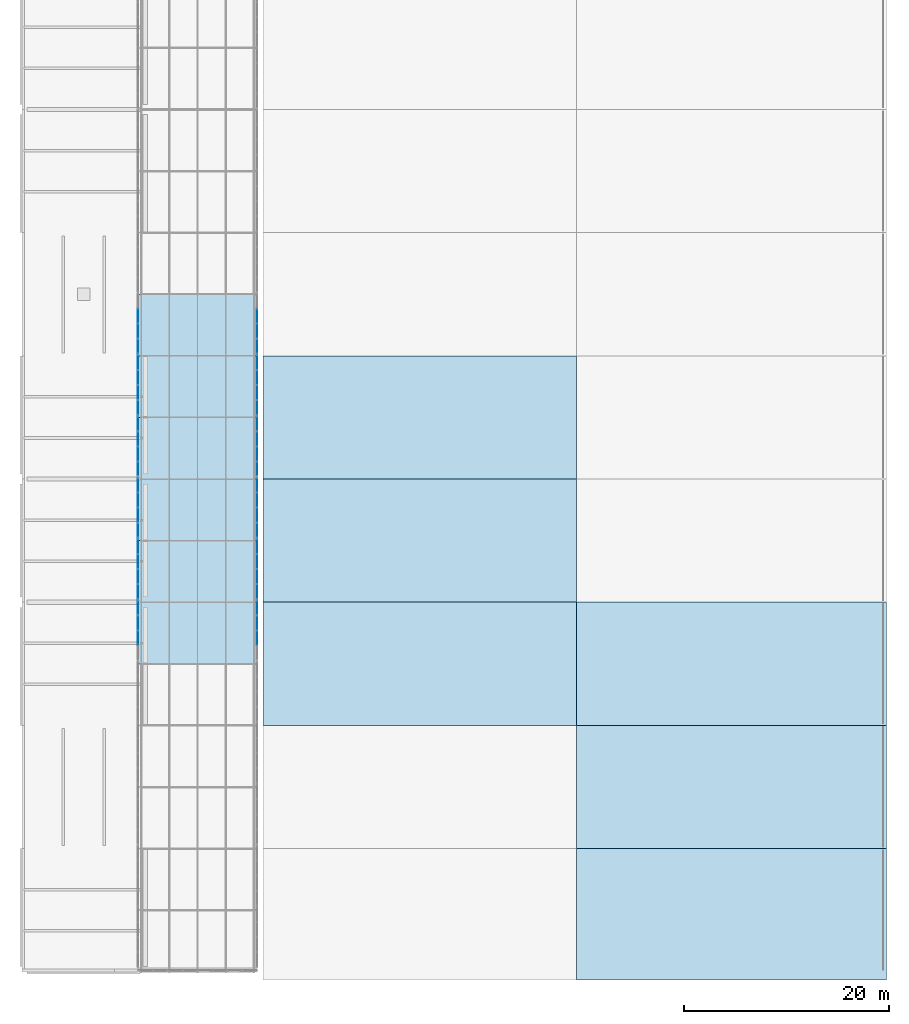
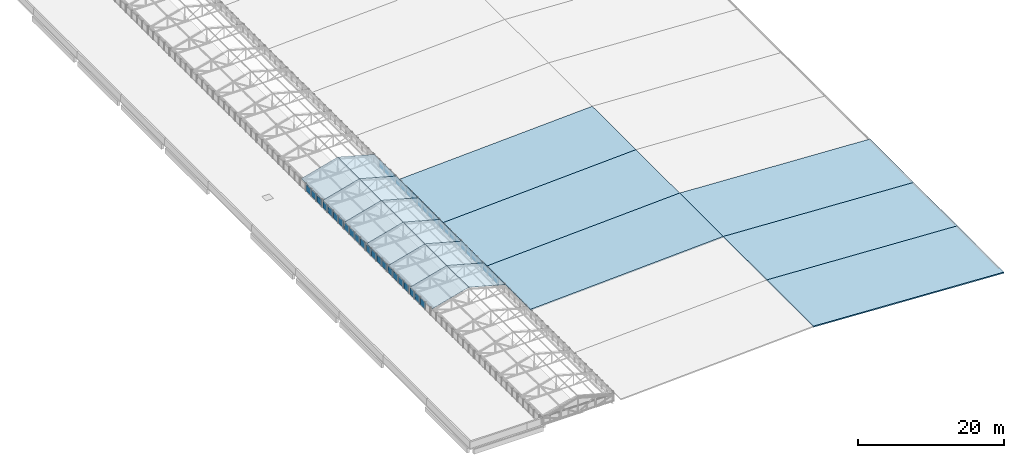
# One storey, part 78 of 94: 44 plates, 18 slabs, 12 elements without a shape of their own.
"""IFC4 building model written with IfcOpenShell, lengths in metres."""

import ifcopenshell
import ifcopenshell.guid

model = None  # the IFC model being written
_history = None  # IfcOwnerHistory: only IFC2X3 demands one
_inside = {}  # id of a spatial element -> (the spatial element, [elements in it])
_under = {}  # id of a project, library or spatial element -> (it, [spatial elements below it])
_declared = {}  # id of a project -> (the project, [libraries it declares])
_typed = {}  # id of a type object -> (the type object, [elements of that type])
_made_of = {}  # id of a material, layer set ... -> (it, [elements and type objects made of it])


def new_model(schema):
    """Start an empty IFC model of exactly this schema.

    Asked for "IFC4X3", IfcOpenShell would pick the latest addendum, in which some entities
    have other attributes; the version numbers below select the first issue.
    IFC2X3 requires an IfcOwnerHistory on every rooted entity: one is made here for all.
    """
    global model, _history
    if schema == "IFC4X3":
        model = ifcopenshell.file(schema_version=(4, 3, 0, 0))
    else:
        model = ifcopenshell.file(schema=schema)
    _inside.clear()
    _under.clear()
    _declared.clear()
    _typed.clear()
    _made_of.clear()
    _history = None
    if model.schema == "IFC2X3":
        org = make("IfcOrganization", Name="unknown")
        user = make(
            "IfcPersonAndOrganization",
            ThePerson=make("IfcPerson", FamilyName="unknown"),
            TheOrganization=org,
        )
        app = make(
            "IfcApplication",
            ApplicationDeveloper=org,
            Version="unknown",
            ApplicationFullName="unknown",
            ApplicationIdentifier="unknown",
        )
        _history = make(
            "IfcOwnerHistory",
            OwningUser=user,
            OwningApplication=app,
            ChangeAction="ADDED",
            CreationDate=0,
        )
    return model


def make(cls, **values):
    """One entity of the class cls with the attributes given. An attribute that is None is left unset."""
    return model.create_entity(
        cls, **{name: value for name, value in values.items() if value is not None}
    )


def rooted(cls, **values):
    """An entity with a GlobalId (a new one), such as an element, a storey or a relation."""
    return make(cls, GlobalId=ifcopenshell.guid.new(), OwnerHistory=_history, **values)


def si_unit(unit_type, name, prefix=None):
    """IfcSIUnit, for example si_unit("LENGTHUNIT", "METRE", prefix="MILLI")."""
    return make("IfcSIUnit", UnitType=unit_type, Prefix=prefix, Name=name)


def assignment(units):
    """IfcUnitAssignment: the units of a project."""
    return None if units is None else make("IfcUnitAssignment", Units=units)


def point(xyz):
    """IfcCartesianPoint."""
    return None if xyz is None else make("IfcCartesianPoint", Coordinates=xyz)


def direction(xyz):
    """IfcDirection."""
    return None if xyz is None else make("IfcDirection", DirectionRatios=xyz)


def frame(location, z_axis=None, x_axis=None):
    """IfcAxis2Placement3D, a coordinate frame: its origin and axes. An axis left out is left unset."""
    return make(
        "IfcAxis2Placement3D",
        Location=point(location),
        Axis=direction(z_axis),
        RefDirection=direction(x_axis),
    )


def frame_2d(location, x_axis=None):
    """IfcAxis2Placement2D, a coordinate frame in the plane: its origin and x axis."""
    return make(
        "IfcAxis2Placement2D", Location=point(location), RefDirection=direction(x_axis)
    )


def origin():
    """The frame at (0, 0, 0) with its axes left unset."""
    return frame((0.0, 0.0, 0.0))


def origin_2d():
    """The frame at (0, 0) in the plane with its x axis left unset."""
    return frame_2d((0.0, 0.0))


def place(relative_to, where):
    """IfcLocalPlacement: puts the frame where relative to a parent placement (None: the world)."""
    return make(
        "IfcLocalPlacement", PlacementRelTo=relative_to, RelativePlacement=where
    )


def context(
    kind, dimensions, precision=None, world=None, true_north=None, identifier=None
):
    """IfcGeometricRepresentationContext, for example the 3D "Model" context."""
    return make(
        "IfcGeometricRepresentationContext",
        ContextIdentifier=identifier,
        ContextType=kind,
        CoordinateSpaceDimension=dimensions,
        Precision=precision,
        WorldCoordinateSystem=world,
        TrueNorth=true_north,
    )


def subcontext(parent, identifier, kind, view, scale=None):
    """IfcGeometricRepresentationSubContext, for example "Body" below "Model"."""
    return make(
        "IfcGeometricRepresentationSubContext",
        ContextIdentifier=identifier,
        ContextType=kind,
        ParentContext=parent,
        TargetScale=scale,
        TargetView=view,
    )


def project(units=None, contexts=None):
    """IfcProject with its units and contexts."""
    return rooted(
        "IfcProject",
        Name="project",
        RepresentationContexts=contexts,
        UnitsInContext=assignment(units),
    )


def spatial(cls, under=None, at=None, **own):
    """A site, building, storey or space (cls), placed at a placement, below another one or the project."""
    s = rooted(cls, ObjectPlacement=at, **own)
    if under is not None:
        _under.setdefault(under.id(), (under, []))[1].append(s)
    return s


def polyline(points):
    """IfcPolyline through the points."""
    return make("IfcPolyline", Points=[point(p) for p in points])


def profile(cls, at=None, kind="AREA", **sizes):
    """A parametric profile (cls). Its sizes go by their IFC names, for example OverallWidth=200.0."""
    return make(cls, ProfileType=kind, Position=at, **sizes)


def rectangle(**sizes):
    """IfcRectangleProfileDef."""
    return profile("IfcRectangleProfileDef", **sizes)


def outline(outer, holes=None, kind="AREA"):
    """IfcArbitraryClosedProfileDef: a profile drawn as a closed curve; with holes, ...WithVoids."""
    if holes is None:
        return make("IfcArbitraryClosedProfileDef", ProfileType=kind, OuterCurve=outer)
    return make(
        "IfcArbitraryProfileDefWithVoids",
        ProfileType=kind,
        OuterCurve=outer,
        InnerCurves=holes,
    )


def extrude(swept, where, along, depth):
    """IfcExtrudedAreaSolid: the profile swept, set in the frame where, extruded along a direction by depth."""
    return make(
        "IfcExtrudedAreaSolid",
        SweptArea=swept,
        Position=where,
        ExtrudedDirection=direction(along),
        Depth=depth,
    )


def shape(context_of_items, identifier, shape_type, items):
    """IfcShapeRepresentation: the items that make up one representation, for example the "Body"."""
    return make(
        "IfcShapeRepresentation",
        ContextOfItems=context_of_items,
        RepresentationIdentifier=identifier,
        RepresentationType=shape_type,
        Items=items,
    )


def material(Name=None, Category=None):
    """IfcMaterial."""
    return make("IfcMaterial", Name=Name, Category=Category)


def layer(
    of_material, thickness, ventilated=None, Name=None, Category=None, Priority=None
):
    """IfcMaterialLayer: one layer of a wall or slab, of a material (None: an air gap)."""
    return make(
        "IfcMaterialLayer",
        Material=of_material,
        LayerThickness=thickness,
        IsVentilated=ventilated,
        Name=Name,
        Category=Category,
        Priority=Priority,
    )


def layer_set(layers, Name=None):
    """IfcMaterialLayerSet."""
    return make("IfcMaterialLayerSet", MaterialLayers=layers, LayerSetName=Name)


def made_of(thing, what):
    """Note that an element or type object is made of a material, layer set ...; save() writes the relation."""
    if what is not None:
        _made_of.setdefault(what.id(), (what, []))[1].append(thing)
    return thing


def type_object(cls, material=None, **own):
    """A type object (cls), such as IfcWallType, which elements share."""
    return made_of(rooted(cls, **own), material)


def element(
    cls,
    number,
    at=None,
    inside=None,
    cuts=None,
    type_object=None,
    material=None,
    context=None,
    identifier="Body",
    shape_type=None,
    held_by="IfcProductDefinitionShape",
    body=None,
    shapes=None,
    **own,
):
    """One element of the class cls, such as IfcWall. Its Tag is "e" and its number.

    at: its placement. inside: the storey or other place that contains it. cuts: it is an
    opening in that element (IfcRelVoidsElement). A single representation is given by context,
    identifier, shape_type and body (its items); several are given by shapes. held_by: the class
    of the entity that holds the representations. save() writes the other relations.
    """
    e = rooted(cls, Tag="e%d" % number, ObjectPlacement=at, **own)
    if body is not None:
        shapes = [shape(context, identifier, shape_type, body)]
    if shapes is not None:
        e.Representation = make(held_by, Representations=shapes)
    if inside is not None:
        _inside.setdefault(inside.id(), (inside, []))[1].append(e)
    if cuts is not None:
        rooted(
            "IfcRelVoidsElement", RelatingBuildingElement=cuts, RelatedOpeningElement=e
        )
    if type_object is not None:
        _typed.setdefault(type_object.id(), (type_object, []))[1].append(e)
    return made_of(e, material)


def aggregate(whole, parts):
    """IfcRelAggregates: a whole, such as a stair, and the parts it consists of."""
    return rooted("IfcRelAggregates", RelatingObject=whole, RelatedObjects=parts)


def save(model, path):
    """Write the relations noted so far, then the file.

    IfcRelAggregates (storeys below a building ...), IfcRelContainedInSpatialStructure (elements
    in a storey), IfcRelDefinesByType, IfcRelAssociatesMaterial and IfcRelDeclares: one each for
    every whole, place, type object, material and project.
    """
    for whole, parts in _under.values():
        aggregate(whole, parts)
    for where, things in _inside.values():
        rooted(
            "IfcRelContainedInSpatialStructure",
            RelatedElements=things,
            RelatingStructure=where,
        )
    for kind, things in _typed.values():
        rooted("IfcRelDefinesByType", RelatedObjects=things, RelatingType=kind)
    for what, things in _made_of.values():
        rooted("IfcRelAssociatesMaterial", RelatedObjects=things, RelatingMaterial=what)
    for by, libraries in _declared.values():
        rooted("IfcRelDeclares", RelatingContext=by, RelatedDefinitions=libraries)
    model.write(path)


model = new_model("IFC4")

# Units and contexts
model_context = context("Model", 3, precision=1e-05, world=origin(), true_north=direction((0.0, 1.0)))
body_context = subcontext(model_context, "Body", "Model", "MODEL_VIEW")
ifc_project = project(units=[si_unit("LENGTHUNIT", "METRE"), si_unit("AREAUNIT", "SQUARE_METRE"), si_unit("VOLUMEUNIT", "CUBIC_METRE"), si_unit("PLANEANGLEUNIT", "RADIAN"), si_unit("MASSUNIT", "GRAM", prefix="KILO")], contexts=[model_context])

# Site, building, storey
site_placement = place(None, origin())
site = spatial("IfcSite", under=ifc_project, at=site_placement, CompositionType="ELEMENT")
building_placement = place(site_placement, origin())
building = spatial("IfcBuilding", under=site, at=building_placement, Name="Lilac Gate Convention Centre", CompositionType="ELEMENT")
storey_placement = place(building_placement, frame((0.0, 0.0, 21.0)))
storey = spatial("IfcBuildingStorey", under=building, at=storey_placement, Name="L04", CompositionType="ELEMENT", Elevation=21.0)

# Curtain wall, plates
ifc_material_1 = material(Name="Aluminium framed double glazing", Category="aluminium")
ifc_layer_1 = layer(ifc_material_1, 0.199951171875)
ifc_layer_set_1 = layer_set([ifc_layer_1], Name="Aluminium framed double glazing")
curtain_wall_type = type_object("IfcCurtainWallType", Name="Unitised curtain wall 1500", PredefinedType="NOTDEFINED", material=ifc_layer_set_1)
curtain_wall_1_placement = place(storey_placement, origin())
curtain_wall_1 = element("IfcCurtainWall", 1, at=curtain_wall_1_placement, inside=storey, type_object=curtain_wall_type, Name="Lantern clerestory W 6", PredefinedType="NOTDEFINED")
ifc_material_2 = material(Name="Double glazed unit low emissivity")
ifc_layer_2 = layer(ifc_material_2, 0.028076171875)
ifc_layer_set_2 = layer_set([ifc_layer_2], Name="Double glazed unit low emissivity")
plate_type = type_object("IfcPlateType", Name="Curtain wall glass panel 28", PredefinedType="CURTAIN_PANEL", material=ifc_layer_set_2)
plate_1_placement = place(storey_placement, frame((17.300048828125, 62.528076171875, 0.06005859375), z_axis=(0.0, 0.0, 1.0), x_axis=(0.0, 1.0, 0.0)))
plate_1 = element("IfcPlate", 2, at=plate_1_placement, type_object=plate_type, Name="CW panel 2.1", PredefinedType="CURTAIN_PANEL", context=body_context, shape_type="SweptSolid", body=[
    extrude(rectangle(XDim=1.40869140625, YDim=0.028076171875, at=origin_2d()), origin(), (0.0, 0.0, 1.0), 1.152099609375),
])
plate_2_placement = place(storey_placement, frame((17.300048828125, 63.996826171875, 0.06005859375), z_axis=(0.0, 0.0, 1.0), x_axis=(0.0, 1.0, 0.0)))
plate_2 = element("IfcPlate", 3, at=plate_2_placement, type_object=plate_type, Name="CW panel 3.1", PredefinedType="CURTAIN_PANEL", context=body_context, shape_type="SweptSolid", body=[
    extrude(rectangle(XDim=1.40869140625, YDim=0.028076171875, at=origin_2d()), origin(), (0.0, 0.0, 1.0), 1.152099609375),
])
plate_3_placement = place(storey_placement, frame((17.300048828125, 65.45068359375, 0.06005859375), z_axis=(0.0, 0.0, 1.0), x_axis=(0.0, 1.0, 0.0)))
plate_3 = element("IfcPlate", 4, at=plate_3_placement, type_object=plate_type, Name="CW panel 4.1", PredefinedType="CURTAIN_PANEL", context=body_context, shape_type="SweptSolid", body=[
    extrude(rectangle(XDim=1.378662109375, YDim=0.028076171875, at=origin_2d()), origin(), (0.0, 0.0, 1.0), 1.152099609375),
])
aggregate(curtain_wall_1, [plate_1, plate_2, plate_3])

curtain_wall_2_placement = place(storey_placement, origin())
curtain_wall_2 = element("IfcCurtainWall", 5, at=curtain_wall_2_placement, inside=storey, type_object=curtain_wall_type, Name="Lantern clerestory W 7", PredefinedType="NOTDEFINED")
plate_4_placement = place(storey_placement, frame((17.300048828125, 67.04931640625, 0.06005859375), z_axis=(0.0, 0.0, 1.0), x_axis=(0.0, 1.0, 0.0)))
plate_4 = element("IfcPlate", 6, at=plate_4_placement, type_object=plate_type, Name="CW panel 1.1", PredefinedType="CURTAIN_PANEL", context=body_context, shape_type="SweptSolid", body=[
    extrude(rectangle(XDim=1.378662109375, YDim=0.028076171875, at=origin_2d()), origin(), (0.0, 0.0, 1.0), 1.152099609375),
])
plate_5_placement = place(storey_placement, frame((17.300048828125, 68.503173828125, 0.06005859375), z_axis=(0.0, 0.0, 1.0), x_axis=(0.0, 1.0, 0.0)))
plate_5 = element("IfcPlate", 7, at=plate_5_placement, type_object=plate_type, Name="CW panel 2.1", PredefinedType="CURTAIN_PANEL", context=body_context, shape_type="SweptSolid", body=[
    extrude(rectangle(XDim=1.40869140625, YDim=0.028076171875, at=origin_2d()), origin(), (0.0, 0.0, 1.0), 1.152099609375),
])
plate_6_placement = place(storey_placement, frame((17.300048828125, 69.971923828125, 0.06005859375), z_axis=(0.0, 0.0, 1.0), x_axis=(0.0, 1.0, 0.0)))
plate_6 = element("IfcPlate", 8, at=plate_6_placement, type_object=plate_type, Name="CW panel 3.1", PredefinedType="CURTAIN_PANEL", context=body_context, shape_type="SweptSolid", body=[
    extrude(rectangle(XDim=1.40869140625, YDim=0.028076171875, at=origin_2d()), origin(), (0.0, 0.0, 1.0), 1.152099609375),
])
plate_7_placement = place(storey_placement, frame((17.300048828125, 71.42578125, 0.06005859375), z_axis=(0.0, 0.0, 1.0), x_axis=(0.0, 1.0, 0.0)))
plate_7 = element("IfcPlate", 9, at=plate_7_placement, type_object=plate_type, Name="CW panel 4.1", PredefinedType="CURTAIN_PANEL", context=body_context, shape_type="SweptSolid", body=[
    extrude(rectangle(XDim=1.378662109375, YDim=0.028076171875, at=origin_2d()), origin(), (0.0, 0.0, 1.0), 1.152099609375),
])
aggregate(curtain_wall_2, [plate_4, plate_5, plate_6, plate_7])

curtain_wall_3_placement = place(storey_placement, origin())
curtain_wall_3 = element("IfcCurtainWall", 10, at=curtain_wall_3_placement, inside=storey, type_object=curtain_wall_type, Name="Lantern clerestory W 8", PredefinedType="NOTDEFINED")
plate_8_placement = place(storey_placement, frame((17.300048828125, 73.024169921875, 0.06005859375), z_axis=(0.0, 0.0, 1.0), x_axis=(0.0, 1.0, 0.0)))
plate_8 = element("IfcPlate", 11, at=plate_8_placement, type_object=plate_type, Name="CW panel 1.1", PredefinedType="CURTAIN_PANEL", context=body_context, shape_type="SweptSolid", body=[
    extrude(rectangle(XDim=1.378662109375, YDim=0.028076171875, at=origin_2d()), origin(), (0.0, 0.0, 1.0), 1.152099609375),
])
plate_9_placement = place(storey_placement, frame((17.300048828125, 74.47802734375, 0.06005859375), z_axis=(0.0, 0.0, 1.0), x_axis=(0.0, 1.0, 0.0)))
plate_9 = element("IfcPlate", 12, at=plate_9_placement, type_object=plate_type, Name="CW panel 2.1", PredefinedType="CURTAIN_PANEL", context=body_context, shape_type="SweptSolid", body=[
    extrude(rectangle(XDim=1.40869140625, YDim=0.028076171875, at=origin_2d()), origin(), (0.0, 0.0, 1.0), 1.152099609375),
])
plate_10_placement = place(storey_placement, frame((17.300048828125, 75.94677734375, 0.06005859375), z_axis=(0.0, 0.0, 1.0), x_axis=(0.0, 1.0, 0.0)))
plate_10 = element("IfcPlate", 13, at=plate_10_placement, type_object=plate_type, Name="CW panel 3.1", PredefinedType="CURTAIN_PANEL", context=body_context, shape_type="SweptSolid", body=[
    extrude(rectangle(XDim=1.40869140625, YDim=0.028076171875, at=origin_2d()), origin(), (0.0, 0.0, 1.0), 1.152099609375),
])
plate_11_placement = place(storey_placement, frame((17.300048828125, 77.400634765625, 0.06005859375), z_axis=(0.0, 0.0, 1.0), x_axis=(0.0, 1.0, 0.0)))
plate_11 = element("IfcPlate", 14, at=plate_11_placement, type_object=plate_type, Name="CW panel 4.1", PredefinedType="CURTAIN_PANEL", context=body_context, shape_type="SweptSolid", body=[
    extrude(rectangle(XDim=1.378662109375, YDim=0.028076171875, at=origin_2d()), origin(), (0.0, 0.0, 1.0), 1.152099609375),
])
aggregate(curtain_wall_3, [plate_8, plate_9, plate_10, plate_11])

curtain_wall_4_placement = place(storey_placement, origin())
curtain_wall_4 = element("IfcCurtainWall", 15, at=curtain_wall_4_placement, inside=storey, type_object=curtain_wall_type, Name="Lantern clerestory W 9", PredefinedType="NOTDEFINED")
plate_12_placement = place(storey_placement, frame((17.300048828125, 78.999267578125, 0.06005859375), z_axis=(0.0, 0.0, 1.0), x_axis=(0.0, 1.0, 0.0)))
plate_12 = element("IfcPlate", 16, at=plate_12_placement, type_object=plate_type, Name="CW panel 1.1", PredefinedType="CURTAIN_PANEL", context=body_context, shape_type="SweptSolid", body=[
    extrude(rectangle(XDim=1.378662109375, YDim=0.028076171875, at=origin_2d()), origin(), (0.0, 0.0, 1.0), 1.152099609375),
])
plate_13_placement = place(storey_placement, frame((17.300048828125, 80.453125, 0.06005859375), z_axis=(0.0, 0.0, 1.0), x_axis=(0.0, 1.0, 0.0)))
plate_13 = element("IfcPlate", 17, at=plate_13_placement, type_object=plate_type, Name="CW panel 2.1", PredefinedType="CURTAIN_PANEL", context=body_context, shape_type="SweptSolid", body=[
    extrude(rectangle(XDim=1.40869140625, YDim=0.028076171875, at=origin_2d()), origin(), (0.0, 0.0, 1.0), 1.152099609375),
])
plate_14_placement = place(storey_placement, frame((17.300048828125, 81.921875, 0.06005859375), z_axis=(0.0, 0.0, 1.0), x_axis=(0.0, 1.0, 0.0)))
plate_14 = element("IfcPlate", 18, at=plate_14_placement, type_object=plate_type, Name="CW panel 3.1", PredefinedType="CURTAIN_PANEL", context=body_context, shape_type="SweptSolid", body=[
    extrude(rectangle(XDim=1.40869140625, YDim=0.028076171875, at=origin_2d()), origin(), (0.0, 0.0, 1.0), 1.152099609375),
])
plate_15_placement = place(storey_placement, frame((17.300048828125, 83.375732421875, 0.06005859375), z_axis=(0.0, 0.0, 1.0), x_axis=(0.0, 1.0, 0.0)))
plate_15 = element("IfcPlate", 19, at=plate_15_placement, type_object=plate_type, Name="CW panel 4.1", PredefinedType="CURTAIN_PANEL", context=body_context, shape_type="SweptSolid", body=[
    extrude(rectangle(XDim=1.378662109375, YDim=0.028076171875, at=origin_2d()), origin(), (0.0, 0.0, 1.0), 1.152099609375),
])
aggregate(curtain_wall_4, [plate_12, plate_13, plate_14, plate_15])

curtain_wall_5_placement = place(storey_placement, origin())
curtain_wall_5 = element("IfcCurtainWall", 20, at=curtain_wall_5_placement, inside=storey, type_object=curtain_wall_type, Name="Lantern clerestory W 10", PredefinedType="NOTDEFINED")
plate_16_placement = place(storey_placement, frame((17.300048828125, 84.974365234375, 0.06005859375), z_axis=(0.0, 0.0, 1.0), x_axis=(0.0, 1.0, 0.0)))
plate_16 = element("IfcPlate", 21, at=plate_16_placement, type_object=plate_type, Name="CW panel 1.1", PredefinedType="CURTAIN_PANEL", context=body_context, shape_type="SweptSolid", body=[
    extrude(rectangle(XDim=1.378662109375, YDim=0.028076171875, at=origin_2d()), origin(), (0.0, 0.0, 1.0), 1.152099609375),
])
plate_17_placement = place(storey_placement, frame((17.300048828125, 86.42822265625, 0.06005859375), z_axis=(0.0, 0.0, 1.0), x_axis=(0.0, 1.0, 0.0)))
plate_17 = element("IfcPlate", 22, at=plate_17_placement, type_object=plate_type, Name="CW panel 2.1", PredefinedType="CURTAIN_PANEL", context=body_context, shape_type="SweptSolid", body=[
    extrude(rectangle(XDim=1.40869140625, YDim=0.028076171875, at=origin_2d()), origin(), (0.0, 0.0, 1.0), 1.152099609375),
])
plate_18_placement = place(storey_placement, frame((17.300048828125, 87.89697265625, 0.06005859375), z_axis=(0.0, 0.0, 1.0), x_axis=(0.0, 1.0, 0.0)))
plate_18 = element("IfcPlate", 23, at=plate_18_placement, type_object=plate_type, Name="CW panel 3.1", PredefinedType="CURTAIN_PANEL", context=body_context, shape_type="SweptSolid", body=[
    extrude(rectangle(XDim=1.40869140625, YDim=0.028076171875, at=origin_2d()), origin(), (0.0, 0.0, 1.0), 1.152099609375),
])
plate_19_placement = place(storey_placement, frame((17.300048828125, 89.350830078125, 0.06005859375), z_axis=(0.0, 0.0, 1.0), x_axis=(0.0, 1.0, 0.0)))
plate_19 = element("IfcPlate", 24, at=plate_19_placement, type_object=plate_type, Name="CW panel 4.1", PredefinedType="CURTAIN_PANEL", context=body_context, shape_type="SweptSolid", body=[
    extrude(rectangle(XDim=1.378662109375, YDim=0.028076171875, at=origin_2d()), origin(), (0.0, 0.0, 1.0), 1.152099609375),
])
aggregate(curtain_wall_5, [plate_16, plate_17, plate_18, plate_19])

curtain_wall_6_placement = place(storey_placement, origin())
curtain_wall_6 = element("IfcCurtainWall", 25, at=curtain_wall_6_placement, inside=storey, type_object=curtain_wall_type, Name="Lantern clerestory W 11", PredefinedType="NOTDEFINED")
plate_20_placement = place(storey_placement, frame((17.300048828125, 90.94921875, 0.06005859375), z_axis=(0.0, 0.0, 1.0), x_axis=(0.0, 1.0, 0.0)))
plate_20 = element("IfcPlate", 26, at=plate_20_placement, type_object=plate_type, Name="CW panel 1.1", PredefinedType="CURTAIN_PANEL", context=body_context, shape_type="SweptSolid", body=[
    extrude(rectangle(XDim=1.378662109375, YDim=0.028076171875, at=origin_2d()), origin(), (0.0, 0.0, 1.0), 1.152099609375),
])
plate_21_placement = place(storey_placement, frame((17.300048828125, 92.403076171875, 0.06005859375), z_axis=(0.0, 0.0, 1.0), x_axis=(0.0, 1.0, 0.0)))
plate_21 = element("IfcPlate", 27, at=plate_21_placement, type_object=plate_type, Name="CW panel 2.1", PredefinedType="CURTAIN_PANEL", context=body_context, shape_type="SweptSolid", body=[
    extrude(rectangle(XDim=1.40869140625, YDim=0.028076171875, at=origin_2d()), origin(), (0.0, 0.0, 1.0), 1.152099609375),
])
plate_22_placement = place(storey_placement, frame((17.300048828125, 93.871826171875, 0.06005859375), z_axis=(0.0, 0.0, 1.0), x_axis=(0.0, 1.0, 0.0)))
plate_22 = element("IfcPlate", 28, at=plate_22_placement, type_object=plate_type, Name="CW panel 3.1", PredefinedType="CURTAIN_PANEL", context=body_context, shape_type="SweptSolid", body=[
    extrude(rectangle(XDim=1.40869140625, YDim=0.028076171875, at=origin_2d()), origin(), (0.0, 0.0, 1.0), 1.152099609375),
])
aggregate(curtain_wall_6, [plate_20, plate_21, plate_22])

curtain_wall_7_placement = place(storey_placement, origin())
curtain_wall_7 = element("IfcCurtainWall", 29, at=curtain_wall_7_placement, inside=storey, type_object=curtain_wall_type, Name="Lantern clerestory E 6", PredefinedType="NOTDEFINED")
plate_23_placement = place(storey_placement, frame((28.89990234375, 62.528076171875, 0.06005859375), z_axis=(0.0, 0.0, 1.0), x_axis=(0.0, 1.0, 0.0)))
plate_23 = element("IfcPlate", 30, at=plate_23_placement, type_object=plate_type, Name="CW panel 2.1", PredefinedType="CURTAIN_PANEL", context=body_context, shape_type="SweptSolid", body=[
    extrude(rectangle(XDim=1.40869140625, YDim=0.028076171875, at=origin_2d()), origin(), (0.0, 0.0, 1.0), 1.152099609375),
])
plate_24_placement = place(storey_placement, frame((28.89990234375, 63.996826171875, 0.06005859375), z_axis=(0.0, 0.0, 1.0), x_axis=(0.0, 1.0, 0.0)))
plate_24 = element("IfcPlate", 31, at=plate_24_placement, type_object=plate_type, Name="CW panel 3.1", PredefinedType="CURTAIN_PANEL", context=body_context, shape_type="SweptSolid", body=[
    extrude(rectangle(XDim=1.40869140625, YDim=0.028076171875, at=origin_2d()), origin(), (0.0, 0.0, 1.0), 1.152099609375),
])
plate_25_placement = place(storey_placement, frame((28.89990234375, 65.45068359375, 0.06005859375), z_axis=(0.0, 0.0, 1.0), x_axis=(0.0, 1.0, 0.0)))
plate_25 = element("IfcPlate", 32, at=plate_25_placement, type_object=plate_type, Name="CW panel 4.1", PredefinedType="CURTAIN_PANEL", context=body_context, shape_type="SweptSolid", body=[
    extrude(rectangle(XDim=1.378662109375, YDim=0.028076171875, at=origin_2d()), origin(), (0.0, 0.0, 1.0), 1.152099609375),
])
aggregate(curtain_wall_7, [plate_23, plate_24, plate_25])

curtain_wall_8_placement = place(storey_placement, origin())
curtain_wall_8 = element("IfcCurtainWall", 33, at=curtain_wall_8_placement, inside=storey, type_object=curtain_wall_type, Name="Lantern clerestory E 7", PredefinedType="NOTDEFINED")
plate_26_placement = place(storey_placement, frame((28.89990234375, 67.04931640625, 0.06005859375), z_axis=(0.0, 0.0, 1.0), x_axis=(0.0, 1.0, 0.0)))
plate_26 = element("IfcPlate", 34, at=plate_26_placement, type_object=plate_type, Name="CW panel 1.1", PredefinedType="CURTAIN_PANEL", context=body_context, shape_type="SweptSolid", body=[
    extrude(rectangle(XDim=1.378662109375, YDim=0.028076171875, at=origin_2d()), origin(), (0.0, 0.0, 1.0), 1.152099609375),
])
plate_27_placement = place(storey_placement, frame((28.89990234375, 68.503173828125, 0.06005859375), z_axis=(0.0, 0.0, 1.0), x_axis=(0.0, 1.0, 0.0)))
plate_27 = element("IfcPlate", 35, at=plate_27_placement, type_object=plate_type, Name="CW panel 2.1", PredefinedType="CURTAIN_PANEL", context=body_context, shape_type="SweptSolid", body=[
    extrude(rectangle(XDim=1.40869140625, YDim=0.028076171875, at=origin_2d()), origin(), (0.0, 0.0, 1.0), 1.152099609375),
])
plate_28_placement = place(storey_placement, frame((28.89990234375, 69.971923828125, 0.06005859375), z_axis=(0.0, 0.0, 1.0), x_axis=(0.0, 1.0, 0.0)))
plate_28 = element("IfcPlate", 36, at=plate_28_placement, type_object=plate_type, Name="CW panel 3.1", PredefinedType="CURTAIN_PANEL", context=body_context, shape_type="SweptSolid", body=[
    extrude(rectangle(XDim=1.40869140625, YDim=0.028076171875, at=origin_2d()), origin(), (0.0, 0.0, 1.0), 1.152099609375),
])
plate_29_placement = place(storey_placement, frame((28.89990234375, 71.42578125, 0.06005859375), z_axis=(0.0, 0.0, 1.0), x_axis=(0.0, 1.0, 0.0)))
plate_29 = element("IfcPlate", 37, at=plate_29_placement, type_object=plate_type, Name="CW panel 4.1", PredefinedType="CURTAIN_PANEL", context=body_context, shape_type="SweptSolid", body=[
    extrude(rectangle(XDim=1.378662109375, YDim=0.028076171875, at=origin_2d()), origin(), (0.0, 0.0, 1.0), 1.152099609375),
])
aggregate(curtain_wall_8, [plate_26, plate_27, plate_28, plate_29])

curtain_wall_9_placement = place(storey_placement, origin())
curtain_wall_9 = element("IfcCurtainWall", 38, at=curtain_wall_9_placement, inside=storey, type_object=curtain_wall_type, Name="Lantern clerestory E 8", PredefinedType="NOTDEFINED")
plate_30_placement = place(storey_placement, frame((28.89990234375, 73.024169921875, 0.06005859375), z_axis=(0.0, 0.0, 1.0), x_axis=(0.0, 1.0, 0.0)))
plate_30 = element("IfcPlate", 39, at=plate_30_placement, type_object=plate_type, Name="CW panel 1.1", PredefinedType="CURTAIN_PANEL", context=body_context, shape_type="SweptSolid", body=[
    extrude(rectangle(XDim=1.378662109375, YDim=0.028076171875, at=origin_2d()), origin(), (0.0, 0.0, 1.0), 1.152099609375),
])
plate_31_placement = place(storey_placement, frame((28.89990234375, 74.47802734375, 0.06005859375), z_axis=(0.0, 0.0, 1.0), x_axis=(0.0, 1.0, 0.0)))
plate_31 = element("IfcPlate", 40, at=plate_31_placement, type_object=plate_type, Name="CW panel 2.1", PredefinedType="CURTAIN_PANEL", context=body_context, shape_type="SweptSolid", body=[
    extrude(rectangle(XDim=1.40869140625, YDim=0.028076171875, at=origin_2d()), origin(), (0.0, 0.0, 1.0), 1.152099609375),
])
plate_32_placement = place(storey_placement, frame((28.89990234375, 75.94677734375, 0.06005859375), z_axis=(0.0, 0.0, 1.0), x_axis=(0.0, 1.0, 0.0)))
plate_32 = element("IfcPlate", 41, at=plate_32_placement, type_object=plate_type, Name="CW panel 3.1", PredefinedType="CURTAIN_PANEL", context=body_context, shape_type="SweptSolid", body=[
    extrude(rectangle(XDim=1.40869140625, YDim=0.028076171875, at=origin_2d()), origin(), (0.0, 0.0, 1.0), 1.152099609375),
])
plate_33_placement = place(storey_placement, frame((28.89990234375, 77.400634765625, 0.06005859375), z_axis=(0.0, 0.0, 1.0), x_axis=(0.0, 1.0, 0.0)))
plate_33 = element("IfcPlate", 42, at=plate_33_placement, type_object=plate_type, Name="CW panel 4.1", PredefinedType="CURTAIN_PANEL", context=body_context, shape_type="SweptSolid", body=[
    extrude(rectangle(XDim=1.378662109375, YDim=0.028076171875, at=origin_2d()), origin(), (0.0, 0.0, 1.0), 1.152099609375),
])
aggregate(curtain_wall_9, [plate_30, plate_31, plate_32, plate_33])

curtain_wall_10_placement = place(storey_placement, origin())
curtain_wall_10 = element("IfcCurtainWall", 43, at=curtain_wall_10_placement, inside=storey, type_object=curtain_wall_type, Name="Lantern clerestory E 9", PredefinedType="NOTDEFINED")
plate_34_placement = place(storey_placement, frame((28.89990234375, 78.999267578125, 0.06005859375), z_axis=(0.0, 0.0, 1.0), x_axis=(0.0, 1.0, 0.0)))
plate_34 = element("IfcPlate", 44, at=plate_34_placement, type_object=plate_type, Name="CW panel 1.1", PredefinedType="CURTAIN_PANEL", context=body_context, shape_type="SweptSolid", body=[
    extrude(rectangle(XDim=1.378662109375, YDim=0.028076171875, at=origin_2d()), origin(), (0.0, 0.0, 1.0), 1.152099609375),
])
plate_35_placement = place(storey_placement, frame((28.89990234375, 80.453125, 0.06005859375), z_axis=(0.0, 0.0, 1.0), x_axis=(0.0, 1.0, 0.0)))
plate_35 = element("IfcPlate", 45, at=plate_35_placement, type_object=plate_type, Name="CW panel 2.1", PredefinedType="CURTAIN_PANEL", context=body_context, shape_type="SweptSolid", body=[
    extrude(rectangle(XDim=1.40869140625, YDim=0.028076171875, at=origin_2d()), origin(), (0.0, 0.0, 1.0), 1.152099609375),
])
plate_36_placement = place(storey_placement, frame((28.89990234375, 81.921875, 0.06005859375), z_axis=(0.0, 0.0, 1.0), x_axis=(0.0, 1.0, 0.0)))
plate_36 = element("IfcPlate", 46, at=plate_36_placement, type_object=plate_type, Name="CW panel 3.1", PredefinedType="CURTAIN_PANEL", context=body_context, shape_type="SweptSolid", body=[
    extrude(rectangle(XDim=1.40869140625, YDim=0.028076171875, at=origin_2d()), origin(), (0.0, 0.0, 1.0), 1.152099609375),
])
plate_37_placement = place(storey_placement, frame((28.89990234375, 83.375732421875, 0.06005859375), z_axis=(0.0, 0.0, 1.0), x_axis=(0.0, 1.0, 0.0)))
plate_37 = element("IfcPlate", 47, at=plate_37_placement, type_object=plate_type, Name="CW panel 4.1", PredefinedType="CURTAIN_PANEL", context=body_context, shape_type="SweptSolid", body=[
    extrude(rectangle(XDim=1.378662109375, YDim=0.028076171875, at=origin_2d()), origin(), (0.0, 0.0, 1.0), 1.152099609375),
])
aggregate(curtain_wall_10, [plate_34, plate_35, plate_36, plate_37])

curtain_wall_11_placement = place(storey_placement, origin())
curtain_wall_11 = element("IfcCurtainWall", 48, at=curtain_wall_11_placement, inside=storey, type_object=curtain_wall_type, Name="Lantern clerestory E 10", PredefinedType="NOTDEFINED")
plate_38_placement = place(storey_placement, frame((28.89990234375, 84.974365234375, 0.06005859375), z_axis=(0.0, 0.0, 1.0), x_axis=(0.0, 1.0, 0.0)))
plate_38 = element("IfcPlate", 49, at=plate_38_placement, type_object=plate_type, Name="CW panel 1.1", PredefinedType="CURTAIN_PANEL", context=body_context, shape_type="SweptSolid", body=[
    extrude(rectangle(XDim=1.378662109375, YDim=0.028076171875, at=origin_2d()), origin(), (0.0, 0.0, 1.0), 1.152099609375),
])
plate_39_placement = place(storey_placement, frame((28.89990234375, 86.42822265625, 0.06005859375), z_axis=(0.0, 0.0, 1.0), x_axis=(0.0, 1.0, 0.0)))
plate_39 = element("IfcPlate", 50, at=plate_39_placement, type_object=plate_type, Name="CW panel 2.1", PredefinedType="CURTAIN_PANEL", context=body_context, shape_type="SweptSolid", body=[
    extrude(rectangle(XDim=1.40869140625, YDim=0.028076171875, at=origin_2d()), origin(), (0.0, 0.0, 1.0), 1.152099609375),
])
plate_40_placement = place(storey_placement, frame((28.89990234375, 87.89697265625, 0.06005859375), z_axis=(0.0, 0.0, 1.0), x_axis=(0.0, 1.0, 0.0)))
plate_40 = element("IfcPlate", 51, at=plate_40_placement, type_object=plate_type, Name="CW panel 3.1", PredefinedType="CURTAIN_PANEL", context=body_context, shape_type="SweptSolid", body=[
    extrude(rectangle(XDim=1.40869140625, YDim=0.028076171875, at=origin_2d()), origin(), (0.0, 0.0, 1.0), 1.152099609375),
])
plate_41_placement = place(storey_placement, frame((28.89990234375, 89.350830078125, 0.06005859375), z_axis=(0.0, 0.0, 1.0), x_axis=(0.0, 1.0, 0.0)))
plate_41 = element("IfcPlate", 52, at=plate_41_placement, type_object=plate_type, Name="CW panel 4.1", PredefinedType="CURTAIN_PANEL", context=body_context, shape_type="SweptSolid", body=[
    extrude(rectangle(XDim=1.378662109375, YDim=0.028076171875, at=origin_2d()), origin(), (0.0, 0.0, 1.0), 1.152099609375),
])
aggregate(curtain_wall_11, [plate_38, plate_39, plate_40, plate_41])

curtain_wall_12_placement = place(storey_placement, origin())
curtain_wall_12 = element("IfcCurtainWall", 53, at=curtain_wall_12_placement, inside=storey, type_object=curtain_wall_type, Name="Lantern clerestory E 11", PredefinedType="NOTDEFINED")
plate_42_placement = place(storey_placement, frame((28.89990234375, 90.94921875, 0.06005859375), z_axis=(0.0, 0.0, 1.0), x_axis=(0.0, 1.0, 0.0)))
plate_42 = element("IfcPlate", 54, at=plate_42_placement, type_object=plate_type, Name="CW panel 1.1", PredefinedType="CURTAIN_PANEL", context=body_context, shape_type="SweptSolid", body=[
    extrude(rectangle(XDim=1.378662109375, YDim=0.028076171875, at=origin_2d()), origin(), (0.0, 0.0, 1.0), 1.152099609375),
])
plate_43_placement = place(storey_placement, frame((28.89990234375, 92.403076171875, 0.06005859375), z_axis=(0.0, 0.0, 1.0), x_axis=(0.0, 1.0, 0.0)))
plate_43 = element("IfcPlate", 55, at=plate_43_placement, type_object=plate_type, Name="CW panel 2.1", PredefinedType="CURTAIN_PANEL", context=body_context, shape_type="SweptSolid", body=[
    extrude(rectangle(XDim=1.40869140625, YDim=0.028076171875, at=origin_2d()), origin(), (0.0, 0.0, 1.0), 1.152099609375),
])
plate_44_placement = place(storey_placement, frame((28.89990234375, 93.871826171875, 0.06005859375), z_axis=(0.0, 0.0, 1.0), x_axis=(0.0, 1.0, 0.0)))
plate_44 = element("IfcPlate", 56, at=plate_44_placement, type_object=plate_type, Name="CW panel 3.1", PredefinedType="CURTAIN_PANEL", context=body_context, shape_type="SweptSolid", body=[
    extrude(rectangle(XDim=1.40869140625, YDim=0.028076171875, at=origin_2d()), origin(), (0.0, 0.0, 1.0), 1.152099609375),
])
aggregate(curtain_wall_12, [plate_42, plate_43, plate_44])

# Slabs
ifc_material_3 = material(Name="Low emissivity safety glass, bonded interlayer", Category="glass")
ifc_layer_3 = layer(ifc_material_3, 0.0400390625)
ifc_layer_set_3 = layer_set([ifc_layer_3], Name="Low emissivity safety glass, bonded interlayer")
slab_type_1 = type_object("IfcSlabType", Name="Lantern glazing panel 40", PredefinedType="ROOF", material=ifc_layer_set_3)
slab_1_placement = place(storey_placement, frame((17.300048828125, 60.0, 1.313720703125), z_axis=(-0.263110533367, 0.0, 0.964765695509), x_axis=(0.964765695509, 0.0, 0.263110533367)))
element("IfcSlab", 57, at=slab_1_placement, inside=storey, type_object=slab_type_1, Name="Lantern glazing W 6", PredefinedType="ROOF", context=body_context, shape_type="SweptSolid", body=[
    extrude(outline(polyline([(0.0, 0.0), (6.011872991673984, 0.0), (6.011872991673984, 5.999999999999999), (0.0, 5.999999999999999), (0.0, 0.0)])), origin(), (0.0, 0.0, -1.0), 0.0400390625),
])
slab_2_placement = place(storey_placement, frame((23.10009765625, 60.0, 2.8955078125), z_axis=(0.263120842134, 0.0, 0.964762884047), x_axis=(0.964762884047, 0.0, -0.263120842134)))
element("IfcSlab", 58, at=slab_2_placement, inside=storey, type_object=slab_type_1, Name="Lantern glazing E 6", PredefinedType="ROOF", context=body_context, shape_type="SweptSolid", body=[
    extrude(outline(polyline([(0.0, 0.0), (6.011637453517294, 0.0), (6.011637453517294, 6.0), (0.0, 6.0), (0.0, 0.0)])), origin(), (0.0, 0.0, -1.0), 0.0400390625),
])
slab_3_placement = place(storey_placement, frame((17.300048828125, 66.0, 1.313720703125), z_axis=(-0.263110533367, 0.0, 0.964765695509), x_axis=(0.964765695509, 0.0, 0.263110533367)))
element("IfcSlab", 59, at=slab_3_placement, inside=storey, type_object=slab_type_1, Name="Lantern glazing W 7", PredefinedType="ROOF", context=body_context, shape_type="SweptSolid", body=[
    extrude(outline(polyline([(0.0, 0.0), (6.011872991673984, 0.0), (6.011872991673984, 5.999999999999999), (0.0, 5.999999999999999), (0.0, 0.0)])), origin(), (0.0, 0.0, -1.0), 0.0400390625),
])
slab_4_placement = place(storey_placement, frame((23.10009765625, 66.0, 2.8955078125), z_axis=(0.263120842134, 0.0, 0.964762884047), x_axis=(0.964762884047, 0.0, -0.263120842134)))
element("IfcSlab", 60, at=slab_4_placement, inside=storey, type_object=slab_type_1, Name="Lantern glazing E 7", PredefinedType="ROOF", context=body_context, shape_type="SweptSolid", body=[
    extrude(outline(polyline([(0.0, 0.0), (6.011637453517294, 0.0), (6.011637453517294, 6.0), (0.0, 6.0), (0.0, 0.0)])), origin(), (0.0, 0.0, -1.0), 0.0400390625),
])
slab_5_placement = place(storey_placement, frame((17.300048828125, 72.0, 1.313720703125), z_axis=(-0.263110533367, 0.0, 0.964765695509), x_axis=(0.964765695509, 0.0, 0.263110533367)))
element("IfcSlab", 61, at=slab_5_placement, inside=storey, type_object=slab_type_1, Name="Lantern glazing W 8", PredefinedType="ROOF", context=body_context, shape_type="SweptSolid", body=[
    extrude(outline(polyline([(0.0, 0.0), (6.011872991673984, 0.0), (6.011872991673984, 5.999999999999999), (0.0, 5.999999999999999), (0.0, 0.0)])), origin(), (0.0, 0.0, -1.0), 0.0400390625),
])
slab_6_placement = place(storey_placement, frame((23.10009765625, 72.0, 2.8955078125), z_axis=(0.263120842134, 0.0, 0.964762884047), x_axis=(0.964762884047, 0.0, -0.263120842134)))
element("IfcSlab", 62, at=slab_6_placement, inside=storey, type_object=slab_type_1, Name="Lantern glazing E 8", PredefinedType="ROOF", context=body_context, shape_type="SweptSolid", body=[
    extrude(outline(polyline([(0.0, 0.0), (6.011637453517294, 0.0), (6.011637453517294, 6.0), (0.0, 6.0), (0.0, 0.0)])), origin(), (0.0, 0.0, -1.0), 0.0400390625),
])
slab_7_placement = place(storey_placement, frame((17.300048828125, 78.0, 1.313720703125), z_axis=(-0.263110533367, 0.0, 0.964765695509), x_axis=(0.964765695509, 0.0, 0.263110533367)))
element("IfcSlab", 63, at=slab_7_placement, inside=storey, type_object=slab_type_1, Name="Lantern glazing W 9", PredefinedType="ROOF", context=body_context, shape_type="SweptSolid", body=[
    extrude(outline(polyline([(0.0, 0.0), (6.011872991673984, 0.0), (6.011872991673984, 5.999999999999999), (0.0, 5.999999999999999), (0.0, 0.0)])), origin(), (0.0, 0.0, -1.0), 0.0400390625),
])
slab_8_placement = place(storey_placement, frame((23.10009765625, 78.0, 2.8955078125), z_axis=(0.263120842134, 0.0, 0.964762884047), x_axis=(0.964762884047, 0.0, -0.263120842134)))
element("IfcSlab", 64, at=slab_8_placement, inside=storey, type_object=slab_type_1, Name="Lantern glazing E 9", PredefinedType="ROOF", context=body_context, shape_type="SweptSolid", body=[
    extrude(outline(polyline([(0.0, 0.0), (6.011637453517294, 0.0), (6.011637453517294, 6.0), (0.0, 6.0), (0.0, 0.0)])), origin(), (0.0, 0.0, -1.0), 0.0400390625),
])
slab_9_placement = place(storey_placement, frame((17.300048828125, 84.0, 1.313720703125), z_axis=(-0.263110533367, 0.0, 0.964765695509), x_axis=(0.964765695509, 0.0, 0.263110533367)))
element("IfcSlab", 65, at=slab_9_placement, inside=storey, type_object=slab_type_1, Name="Lantern glazing W 10", PredefinedType="ROOF", context=body_context, shape_type="SweptSolid", body=[
    extrude(outline(polyline([(0.0, 0.0), (6.011872991673984, 0.0), (6.011872991673984, 5.999999999999999), (0.0, 5.999999999999999), (0.0, 0.0)])), origin(), (0.0, 0.0, -1.0), 0.0400390625),
])
slab_10_placement = place(storey_placement, frame((23.10009765625, 84.0, 2.8955078125), z_axis=(0.263120842134, 0.0, 0.964762884047), x_axis=(0.964762884047, 0.0, -0.263120842134)))
element("IfcSlab", 66, at=slab_10_placement, inside=storey, type_object=slab_type_1, Name="Lantern glazing E 10", PredefinedType="ROOF", context=body_context, shape_type="SweptSolid", body=[
    extrude(outline(polyline([(0.0, 0.0), (6.011637453517294, 0.0), (6.011637453517294, 6.0), (0.0, 6.0), (0.0, 0.0)])), origin(), (0.0, 0.0, -1.0), 0.0400390625),
])
slab_11_placement = place(storey_placement, frame((17.300048828125, 90.0, 1.313720703125), z_axis=(-0.263110533367, 0.0, 0.964765695509), x_axis=(0.964765695509, 0.0, 0.263110533367)))
element("IfcSlab", 67, at=slab_11_placement, inside=storey, type_object=slab_type_1, Name="Lantern glazing W 11", PredefinedType="ROOF", context=body_context, shape_type="SweptSolid", body=[
    extrude(outline(polyline([(0.0, 0.0), (6.011872991673984, 0.0), (6.011872991673984, 5.999999999999999), (0.0, 5.999999999999999), (0.0, 0.0)])), origin(), (0.0, 0.0, -1.0), 0.0400390625),
])
slab_12_placement = place(storey_placement, frame((23.10009765625, 90.0, 2.8955078125), z_axis=(0.263120842134, 0.0, 0.964762884047), x_axis=(0.964762884047, 0.0, -0.263120842134)))
element("IfcSlab", 68, at=slab_12_placement, inside=storey, type_object=slab_type_1, Name="Lantern glazing E 11", PredefinedType="ROOF", context=body_context, shape_type="SweptSolid", body=[
    extrude(outline(polyline([(0.0, 0.0), (6.011637453517294, 0.0), (6.011637453517294, 6.0), (0.0, 6.0), (0.0, 0.0)])), origin(), (0.0, 0.0, -1.0), 0.0400390625),
])
ifc_material_4 = material(Name="Galvanised steel liner sheet", Category="steel")
ifc_layer_4 = layer(ifc_material_4, 0.001953125)
ifc_material_5 = material(Name="Mineral wool insulation")
ifc_layer_5 = layer(ifc_material_5, 0.196044921875)
ifc_material_6 = material(Name="Grey coated steel sheet", Category="steel")
ifc_layer_6 = layer(ifc_material_6, 0.001953125)
ifc_layer_set_4 = layer_set([ifc_layer_4, ifc_layer_5, ifc_layer_6], Name="Galvanised steel liner sheet, Mineral wool insulation, Grey coated steel sheet")
slab_type_2 = type_object("IfcSlabType", Name="Roof cover panel grey 200", PredefinedType="ROOF", material=ifc_layer_set_4)
slab_13_placement = place(storey_placement, frame((60.0, 29.199951171875, 2.12548828125), z_axis=(0.04993801964, 0.0, 0.998752318743), x_axis=(0.998752318743, 0.0, -0.04993801964)))
element("IfcSlab", 69, at=slab_13_placement, inside=storey, type_object=slab_type_2, Name="Hall roof panel 1.2", PredefinedType="ROOF", context=body_context, shape_type="SweptSolid", body=[
    extrude(outline(polyline([(0.0, 0.0), (30.237678156166638, 0.0), (30.237678156166638, 12.800048828124998), (0.0, 12.800048828124998), (0.0, 0.0)])), origin(), (0.0, 0.0, -1.0), 0.199951171875),
])
slab_14_placement = place(storey_placement, frame((60.0, 42.0, 2.12548828125), z_axis=(0.04993801964, 0.0, 0.998752318743), x_axis=(0.998752318743, 0.0, -0.04993801964)))
element("IfcSlab", 70, at=slab_14_placement, inside=storey, type_object=slab_type_2, Name="Hall roof panel 2.2", PredefinedType="ROOF", context=body_context, shape_type="SweptSolid", body=[
    extrude(outline(polyline([(0.0, 0.0), (30.237678156166638, 0.0), (30.237678156166638, 12.0), (0.0, 12.0), (0.0, 0.0)])), origin(), (0.0, 0.0, -1.0), 0.199951171875),
])
slab_15_placement = place(storey_placement, frame((29.449951171875, 54.0, 0.597900390625), z_axis=(-0.049940403511, 0.0, 0.998752199546), x_axis=(0.998752199546, 0.0, 0.049940403511)))
element("IfcSlab", 71, at=slab_15_placement, inside=storey, type_object=slab_type_2, Name="Hall roof panel 3.1", PredefinedType="ROOF", context=body_context, shape_type="SweptSolid", body=[
    extrude(outline(polyline([(0.0, 0.0), (30.588216818971414, 0.0), (30.588216818971414, 11.999999999999998), (0.0, 11.999999999999998), (0.0, 0.0)])), origin(), (0.0, 0.0, -1.0), 0.199951171875),
])
slab_16_placement = place(storey_placement, frame((60.0, 54.0, 2.12548828125), z_axis=(0.04993801964, 0.0, 0.998752318743), x_axis=(0.998752318743, 0.0, -0.04993801964)))
element("IfcSlab", 72, at=slab_16_placement, inside=storey, type_object=slab_type_2, Name="Hall roof panel 3.2", PredefinedType="ROOF", context=body_context, shape_type="SweptSolid", body=[
    extrude(outline(polyline([(0.0, 0.0), (30.237678156166638, 0.0), (30.237678156166638, 12.0), (0.0, 12.0), (0.0, 0.0)])), origin(), (0.0, 0.0, -1.0), 0.199951171875),
])
for number, where, z_axis, x_axis, name in (
    (73, (29.449951171875, 66.0, 0.597900390625), (-0.049940403511, 0.0, 0.998752199546), (0.998752199546, 0.0, 0.049940403511), "Hall roof panel 4.1"),
    (74, (29.449951171875, 78.0, 0.597900390625), (-0.049940403511, 0.0, 0.998752199546), (0.998752199546, 0.0, 0.049940403511), "Hall roof panel 5.1"),
):
    element("IfcSlab", number, at=place(storey_placement, frame(where, z_axis=z_axis, x_axis=x_axis)), inside=storey, type_object=slab_type_2, Name=name, PredefinedType="ROOF", context=body_context, shape_type="SweptSolid", body=[
        extrude(outline(polyline([(0.0, 0.0), (30.588216818971414, 0.0), (30.588216818971414, 11.999999999999998), (0.0, 11.999999999999998), (0.0, 0.0)])), origin(), (0.0, 0.0, -1.0), 0.199951171875),
    ])

save(model, "model.ifc")
